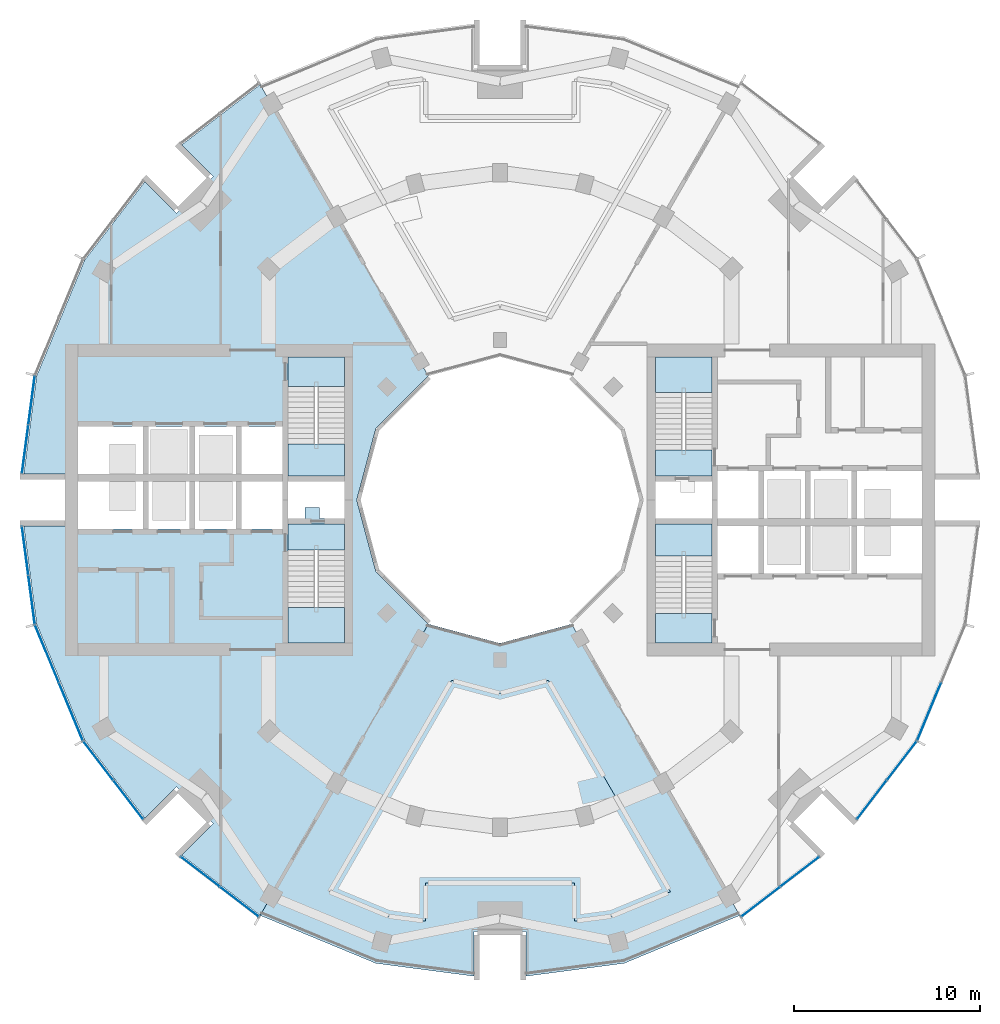
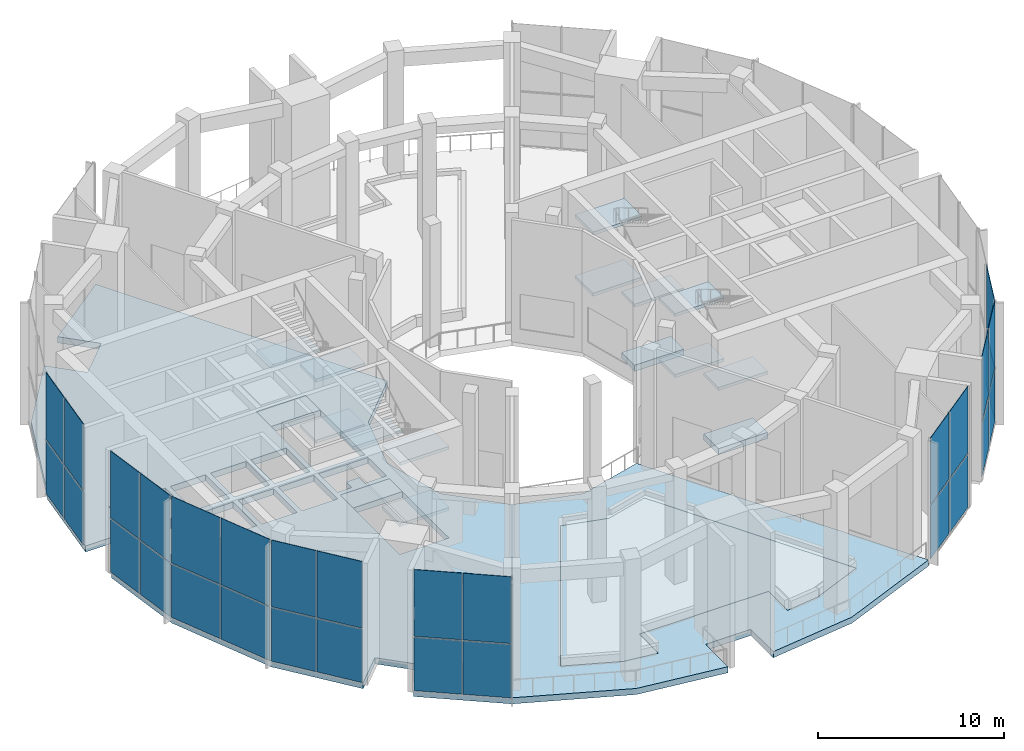
# One storey, part 9 of 18: 30 plates, 19 slabs, 12 elements without a shape of their own.
"""IFC4 building model written with IfcOpenShell, lengths in metres."""

from ifc_helpers import new_model, si_unit, direction, frame, origin, origin_2d, place, context, subcontext, project, spatial, polyline, rectangle, outline, extrude, material, layer, layer_set, type_object, element, aggregate, save


model = new_model("IFC4")

# Units and contexts
model_context = context("Model", 3, precision=1e-05, world=origin(), true_north=direction((0.0, 1.0)))
body_context = subcontext(model_context, "Body", "Model", "MODEL_VIEW")
ifc_project = project(units=[si_unit("LENGTHUNIT", "METRE"), si_unit("AREAUNIT", "SQUARE_METRE"), si_unit("VOLUMEUNIT", "CUBIC_METRE"), si_unit("PLANEANGLEUNIT", "RADIAN"), si_unit("MASSUNIT", "GRAM", prefix="KILO")], contexts=[model_context])

# Site, building, storey
site_placement = place(None, origin())
site = spatial("IfcSite", under=ifc_project, at=site_placement, CompositionType="ELEMENT")
building_placement = place(site_placement, origin())
building = spatial("IfcBuilding", under=site, at=building_placement, Name="Torre Brocal", CompositionType="ELEMENT")
storey_placement = place(building_placement, frame((0.0, 0.0, 149.699951171875)))
storey = spatial("IfcBuildingStorey", under=building, at=storey_placement, Name="L35", CompositionType="ELEMENT", Elevation=149.699951171875)

# Curtain wall, plates
ifc_material_1 = material(Name="Aluminium and glass", Category="aluminium")
ifc_layer_1 = layer(ifc_material_1, 0.199951171875)
ifc_layer_set_1 = layer_set([ifc_layer_1], Name="Aluminium and glass")
curtain_wall_type = type_object("IfcCurtainWallType", Name="CW-4 CURTAIN WALL 8000 HIGH", PredefinedType="NOTDEFINED", material=ifc_layer_set_1)
curtain_wall_1_placement = place(storey_placement, origin())
curtain_wall_1 = element("IfcCurtainWall", 1, at=curtain_wall_1_placement, inside=storey, type_object=curtain_wall_type, Name="CW-4 RUN 12", PredefinedType="NOTDEFINED")
ifc_material_2 = material(Name="Glass, dark tinted laminated", Category="glass")
ifc_layer_2 = layer(ifc_material_2, 0.030029296875)
ifc_layer_set_2 = layer_set([ifc_layer_2], Name="Glass, dark tinted laminated")
plate_type = type_object("IfcPlateType", Name="CW-4 GLASS PANEL 30", PredefinedType="CURTAIN_PANEL", material=ifc_layer_set_2)
plate_1_placement = place(storey_placement, frame((54.80712890625, 80.364990234375, 0.070068359375), z_axis=(0.0, 0.0, 1.0), x_axis=(-0.13052619222, -0.991444861374, 0.0)))
plate_1 = element("IfcPlate", 2, at=plate_1_placement, type_object=plate_type, Name="CW4-1 panel 1.1", PredefinedType="CURTAIN_PANEL", context=body_context, shape_type="SweptSolid", body=[
    extrude(rectangle(XDim=2.599365234375, YDim=0.030029296875, at=origin_2d()), origin(), (0.0, 0.0, 1.0), 3.4951171875),
])
plate_2_placement = place(storey_placement, frame((54.80712890625, 80.364990234375, 3.63525390625), z_axis=(0.0, 0.0, 1.0), x_axis=(-0.13052619222, -0.991444861374, 0.0)))
plate_2 = element("IfcPlate", 3, at=plate_2_placement, type_object=plate_type, Name="CW4-1 panel 1.2", PredefinedType="CURTAIN_PANEL", context=body_context, shape_type="SweptSolid", body=[
    extrude(rectangle(XDim=2.599365234375, YDim=0.030029296875, at=origin_2d()), origin(), (0.0, 0.0, 1.0), 4.364990234375),
])
plate_3_placement = place(storey_placement, frame((54.46142578125, 77.73828125, 0.070068359375), z_axis=(0.0, 0.0, 1.0), x_axis=(-0.13052619222, -0.991444861374, 0.0)))
plate_3 = element("IfcPlate", 4, at=plate_3_placement, type_object=plate_type, Name="CW4-1 panel 2.1", PredefinedType="CURTAIN_PANEL", context=body_context, shape_type="SweptSolid", body=[
    extrude(rectangle(XDim=2.599365234375, YDim=0.030029296875, at=origin_2d()), origin(), (0.0, 0.0, 1.0), 3.4951171875),
])
plate_4_placement = place(storey_placement, frame((54.46142578125, 77.73828125, 3.63525390625), z_axis=(0.0, 0.0, 1.0), x_axis=(-0.13052619222, -0.991444861374, 0.0)))
plate_4 = element("IfcPlate", 5, at=plate_4_placement, type_object=plate_type, Name="CW4-1 panel 2.2", PredefinedType="CURTAIN_PANEL", context=body_context, shape_type="SweptSolid", body=[
    extrude(rectangle(XDim=2.599365234375, YDim=0.030029296875, at=origin_2d()), origin(), (0.0, 0.0, 1.0), 4.364990234375),
])
aggregate(curtain_wall_1, [plate_1, plate_2, plate_3, plate_4])

curtain_wall_2_placement = place(storey_placement, origin())
curtain_wall_2 = element("IfcCurtainWall", 6, at=curtain_wall_2_placement, inside=storey, type_object=curtain_wall_type, Name="CW-4 RUN 13", PredefinedType="NOTDEFINED")
plate_5_placement = place(storey_placement, frame((54.46142578125, 72.26171875, 0.070068359375), z_axis=(0.0, 0.0, 1.0), x_axis=(0.13052619222, -0.991444861374, 0.0)))
plate_5 = element("IfcPlate", 7, at=plate_5_placement, type_object=plate_type, Name="CW4-1 panel 1.1", PredefinedType="CURTAIN_PANEL", context=body_context, shape_type="SweptSolid", body=[
    extrude(rectangle(XDim=2.599365234375, YDim=0.030029296875, at=origin_2d()), origin(), (0.0, 0.0, 1.0), 3.4951171875),
])
plate_6_placement = place(storey_placement, frame((54.46142578125, 72.26171875, 3.63525390625), z_axis=(0.0, 0.0, 1.0), x_axis=(0.13052619222, -0.991444861374, 0.0)))
plate_6 = element("IfcPlate", 8, at=plate_6_placement, type_object=plate_type, Name="CW4-1 panel 1.2", PredefinedType="CURTAIN_PANEL", context=body_context, shape_type="SweptSolid", body=[
    extrude(rectangle(XDim=2.599365234375, YDim=0.030029296875, at=origin_2d()), origin(), (0.0, 0.0, 1.0), 4.364990234375),
])
plate_7_placement = place(storey_placement, frame((54.80712890625, 69.635009765625, 0.070068359375), z_axis=(0.0, 0.0, 1.0), x_axis=(0.13052619222, -0.991444861374, 0.0)))
plate_7 = element("IfcPlate", 9, at=plate_7_placement, type_object=plate_type, Name="CW4-1 panel 2.1", PredefinedType="CURTAIN_PANEL", context=body_context, shape_type="SweptSolid", body=[
    extrude(rectangle(XDim=2.599365234375, YDim=0.030029296875, at=origin_2d()), origin(), (0.0, 0.0, 1.0), 3.4951171875),
])
plate_8_placement = place(storey_placement, frame((54.80712890625, 69.635009765625, 3.63525390625), z_axis=(0.0, 0.0, 1.0), x_axis=(0.13052619222, -0.991444861374, 0.0)))
plate_8 = element("IfcPlate", 10, at=plate_8_placement, type_object=plate_type, Name="CW4-1 panel 2.2", PredefinedType="CURTAIN_PANEL", context=body_context, shape_type="SweptSolid", body=[
    extrude(rectangle(XDim=2.599365234375, YDim=0.030029296875, at=origin_2d()), origin(), (0.0, 0.0, 1.0), 4.364990234375),
])
aggregate(curtain_wall_2, [plate_5, plate_6, plate_7, plate_8])

curtain_wall_3_placement = place(storey_placement, origin())
curtain_wall_3 = element("IfcCurtainWall", 11, at=curtain_wall_3_placement, inside=storey, type_object=curtain_wall_type, Name="CW-4 RUN 14", PredefinedType="NOTDEFINED")
plate_9_placement = place(storey_placement, frame((55.635009765625, 66.7236328125, 0.070068359375), z_axis=(0.0, 0.0, 1.0), x_axis=(0.382683432333, -0.923879532525, 0.0)))
plate_9 = element("IfcPlate", 12, at=plate_9_placement, type_object=plate_type, Name="CW4-1 panel 1.1", PredefinedType="CURTAIN_PANEL", context=body_context, shape_type="SweptSolid", body=[
    extrude(rectangle(XDim=3.305419921875, YDim=0.030029296875, at=origin_2d()), origin(), (0.0, 0.0, 1.0), 3.4951171875),
])
plate_10_placement = place(storey_placement, frame((55.635009765625, 66.7236328125, 3.63525390625), z_axis=(0.0, 0.0, 1.0), x_axis=(0.382683432333, -0.923879532525, 0.0)))
plate_10 = element("IfcPlate", 13, at=plate_10_placement, type_object=plate_type, Name="CW4-1 panel 1.2", PredefinedType="CURTAIN_PANEL", context=body_context, shape_type="SweptSolid", body=[
    extrude(rectangle(XDim=3.305419921875, YDim=0.030029296875, at=origin_2d()), origin(), (0.0, 0.0, 1.0), 4.364990234375),
])
plate_11_placement = place(storey_placement, frame((56.919189453125, 63.62353515625, 0.070068359375), z_axis=(0.0, 0.0, 1.0), x_axis=(0.382683432333, -0.923879532525, 0.0)))
plate_11 = element("IfcPlate", 14, at=plate_11_placement, type_object=plate_type, Name="CW4-1 panel 2.1", PredefinedType="CURTAIN_PANEL", context=body_context, shape_type="SweptSolid", body=[
    extrude(rectangle(XDim=3.305419921875, YDim=0.030029296875, at=origin_2d()), origin(), (0.0, 0.0, 1.0), 3.4951171875),
])
plate_12_placement = place(storey_placement, frame((56.919189453125, 63.62353515625, 3.63525390625), z_axis=(0.0, 0.0, 1.0), x_axis=(0.382683432333, -0.923879532525, 0.0)))
plate_12 = element("IfcPlate", 15, at=plate_12_placement, type_object=plate_type, Name="CW4-1 panel 2.2", PredefinedType="CURTAIN_PANEL", context=body_context, shape_type="SweptSolid", body=[
    extrude(rectangle(XDim=3.305419921875, YDim=0.030029296875, at=origin_2d()), origin(), (0.0, 0.0, 1.0), 4.364990234375),
])
aggregate(curtain_wall_3, [plate_9, plate_10, plate_11, plate_12])

curtain_wall_4_placement = place(storey_placement, origin())
curtain_wall_4 = element("IfcCurtainWall", 16, at=curtain_wall_4_placement, inside=storey, type_object=curtain_wall_type, Name="CW-4 RUN 15", PredefinedType="NOTDEFINED")
plate_13_placement = place(storey_placement, frame((58.392333984375, 60.9794921875, 0.070068359375), z_axis=(0.0, 0.0, 1.0), x_axis=(0.60876142905, -0.793353340259, 0.0)))
plate_13 = element("IfcPlate", 17, at=plate_13_placement, type_object=plate_type, Name="CW4-1 panel 1.1", PredefinedType="CURTAIN_PANEL", context=body_context, shape_type="SweptSolid", body=[
    extrude(rectangle(XDim=2.599365234375, YDim=0.030029296875, at=origin_2d()), origin(), (0.0, 0.0, 1.0), 3.4951171875),
])
plate_14_placement = place(storey_placement, frame((58.392333984375, 60.9794921875, 3.63525390625), z_axis=(0.0, 0.0, 1.0), x_axis=(0.60876142905, -0.793353340259, 0.0)))
plate_14 = element("IfcPlate", 18, at=plate_14_placement, type_object=plate_type, Name="CW4-1 panel 1.2", PredefinedType="CURTAIN_PANEL", context=body_context, shape_type="SweptSolid", body=[
    extrude(rectangle(XDim=2.599365234375, YDim=0.030029296875, at=origin_2d()), origin(), (0.0, 0.0, 1.0), 4.364990234375),
])
plate_15_placement = place(storey_placement, frame((60.00537109375, 58.877685546875, 0.070068359375), z_axis=(0.0, 0.0, 1.0), x_axis=(0.60876142905, -0.793353340259, 0.0)))
plate_15 = element("IfcPlate", 19, at=plate_15_placement, type_object=plate_type, Name="CW4-1 panel 2.1", PredefinedType="CURTAIN_PANEL", context=body_context, shape_type="SweptSolid", body=[
    extrude(rectangle(XDim=2.599365234375, YDim=0.030029296875, at=origin_2d()), origin(), (0.0, 0.0, 1.0), 3.4951171875),
])
plate_16_placement = place(storey_placement, frame((60.00537109375, 58.877685546875, 3.63525390625), z_axis=(0.0, 0.0, 1.0), x_axis=(0.60876142905, -0.793353340259, 0.0)))
plate_16 = element("IfcPlate", 20, at=plate_16_placement, type_object=plate_type, Name="CW4-1 panel 2.2", PredefinedType="CURTAIN_PANEL", context=body_context, shape_type="SweptSolid", body=[
    extrude(rectangle(XDim=2.599365234375, YDim=0.030029296875, at=origin_2d()), origin(), (0.0, 0.0, 1.0), 4.364990234375),
])
aggregate(curtain_wall_4, [plate_13, plate_14, plate_15, plate_16])

curtain_wall_5_placement = place(storey_placement, origin())
curtain_wall_5 = element("IfcCurtainWall", 21, at=curtain_wall_5_placement, inside=storey, type_object=curtain_wall_type, Name="CW-4 RUN 16", PredefinedType="NOTDEFINED")
plate_17_placement = place(storey_placement, frame((63.877685546875, 55.00537109375, 0.070068359375), z_axis=(0.0, 0.0, 1.0), x_axis=(0.793353340259, -0.60876142905, 0.0)))
plate_17 = element("IfcPlate", 22, at=plate_17_placement, type_object=plate_type, Name="CW4-1 panel 1.1", PredefinedType="CURTAIN_PANEL", context=body_context, shape_type="SweptSolid", body=[
    extrude(rectangle(XDim=2.599365234375, YDim=0.030029296875, at=origin_2d()), origin(), (0.0, 0.0, 1.0), 3.4951171875),
])
plate_18_placement = place(storey_placement, frame((63.877685546875, 55.00537109375, 3.63525390625), z_axis=(0.0, 0.0, 1.0), x_axis=(0.793353340259, -0.60876142905, 0.0)))
plate_18 = element("IfcPlate", 23, at=plate_18_placement, type_object=plate_type, Name="CW4-1 panel 1.2", PredefinedType="CURTAIN_PANEL", context=body_context, shape_type="SweptSolid", body=[
    extrude(rectangle(XDim=2.599365234375, YDim=0.030029296875, at=origin_2d()), origin(), (0.0, 0.0, 1.0), 4.364990234375),
])
plate_19_placement = place(storey_placement, frame((65.9794921875, 53.392333984375, 0.070068359375), z_axis=(0.0, 0.0, 1.0), x_axis=(0.793353340259, -0.60876142905, 0.0)))
plate_19 = element("IfcPlate", 24, at=plate_19_placement, type_object=plate_type, Name="CW4-1 panel 2.1", PredefinedType="CURTAIN_PANEL", context=body_context, shape_type="SweptSolid", body=[
    extrude(rectangle(XDim=2.599365234375, YDim=0.030029296875, at=origin_2d()), origin(), (0.0, 0.0, 1.0), 3.4951171875),
])
plate_20_placement = place(storey_placement, frame((65.9794921875, 53.392333984375, 3.63525390625), z_axis=(0.0, 0.0, 1.0), x_axis=(0.793353340259, -0.60876142905, 0.0)))
plate_20 = element("IfcPlate", 25, at=plate_20_placement, type_object=plate_type, Name="CW4-1 panel 2.2", PredefinedType="CURTAIN_PANEL", context=body_context, shape_type="SweptSolid", body=[
    extrude(rectangle(XDim=2.599365234375, YDim=0.030029296875, at=origin_2d()), origin(), (0.0, 0.0, 1.0), 4.364990234375),
])
aggregate(curtain_wall_5, [plate_17, plate_18, plate_19, plate_20])

curtain_wall_6_placement = place(storey_placement, origin())
curtain_wall_6 = element("IfcCurtainWall", 26, at=curtain_wall_6_placement, inside=storey, type_object=curtain_wall_type, Name="CW-4 RUN 21", PredefinedType="NOTDEFINED")
plate_21_placement = place(storey_placement, frame((94.0205078125, 53.392333984375, 0.070068359375), z_axis=(0.0, 0.0, 1.0), x_axis=(0.793353340259, 0.60876142905, 0.0)))
plate_21 = element("IfcPlate", 27, at=plate_21_placement, type_object=plate_type, Name="CW4-1 panel 1.1", PredefinedType="CURTAIN_PANEL", context=body_context, shape_type="SweptSolid", body=[
    extrude(rectangle(XDim=2.599365234375, YDim=0.030029296875, at=origin_2d()), origin(), (0.0, 0.0, 1.0), 3.4951171875),
])
plate_22_placement = place(storey_placement, frame((94.0205078125, 53.392333984375, 3.63525390625), z_axis=(0.0, 0.0, 1.0), x_axis=(0.793353340259, 0.60876142905, 0.0)))
plate_22 = element("IfcPlate", 28, at=plate_22_placement, type_object=plate_type, Name="CW4-1 panel 1.2", PredefinedType="CURTAIN_PANEL", context=body_context, shape_type="SweptSolid", body=[
    extrude(rectangle(XDim=2.599365234375, YDim=0.030029296875, at=origin_2d()), origin(), (0.0, 0.0, 1.0), 4.364990234375),
])
plate_23_placement = place(storey_placement, frame((96.122314453125, 55.00537109375, 0.070068359375), z_axis=(0.0, 0.0, 1.0), x_axis=(0.793353340259, 0.60876142905, 0.0)))
plate_23 = element("IfcPlate", 29, at=plate_23_placement, type_object=plate_type, Name="CW4-1 panel 2.1", PredefinedType="CURTAIN_PANEL", context=body_context, shape_type="SweptSolid", body=[
    extrude(rectangle(XDim=2.599365234375, YDim=0.030029296875, at=origin_2d()), origin(), (0.0, 0.0, 1.0), 3.4951171875),
])
plate_24_placement = place(storey_placement, frame((96.122314453125, 55.00537109375, 3.63525390625), z_axis=(0.0, 0.0, 1.0), x_axis=(0.793353340259, 0.60876142905, 0.0)))
plate_24 = element("IfcPlate", 30, at=plate_24_placement, type_object=plate_type, Name="CW4-1 panel 2.2", PredefinedType="CURTAIN_PANEL", context=body_context, shape_type="SweptSolid", body=[
    extrude(rectangle(XDim=2.599365234375, YDim=0.030029296875, at=origin_2d()), origin(), (0.0, 0.0, 1.0), 4.364990234375),
])
aggregate(curtain_wall_6, [plate_21, plate_22, plate_23, plate_24])

curtain_wall_7_placement = place(storey_placement, origin())
curtain_wall_7 = element("IfcCurtainWall", 31, at=curtain_wall_7_placement, inside=storey, type_object=curtain_wall_type, Name="CW-4 RUN 22", PredefinedType="NOTDEFINED")
plate_25_placement = place(storey_placement, frame((99.99462890625, 58.877685546875, 0.070068359375), z_axis=(0.0, 0.0, 1.0), x_axis=(0.60876142905, 0.793353340259, 0.0)))
plate_25 = element("IfcPlate", 32, at=plate_25_placement, type_object=plate_type, Name="CW4-1 panel 1.1", PredefinedType="CURTAIN_PANEL", context=body_context, shape_type="SweptSolid", body=[
    extrude(rectangle(XDim=2.599365234375, YDim=0.030029296875, at=origin_2d()), origin(), (0.0, 0.0, 1.0), 3.4951171875),
])
plate_26_placement = place(storey_placement, frame((99.99462890625, 58.877685546875, 3.63525390625), z_axis=(0.0, 0.0, 1.0), x_axis=(0.60876142905, 0.793353340259, 0.0)))
plate_26 = element("IfcPlate", 33, at=plate_26_placement, type_object=plate_type, Name="CW4-1 panel 1.2", PredefinedType="CURTAIN_PANEL", context=body_context, shape_type="SweptSolid", body=[
    extrude(rectangle(XDim=2.599365234375, YDim=0.030029296875, at=origin_2d()), origin(), (0.0, 0.0, 1.0), 4.364990234375),
])
plate_27_placement = place(storey_placement, frame((101.607666015625, 60.9794921875, 0.070068359375), z_axis=(0.0, 0.0, 1.0), x_axis=(0.60876142905, 0.793353340259, 0.0)))
plate_27 = element("IfcPlate", 34, at=plate_27_placement, type_object=plate_type, Name="CW4-1 panel 2.1", PredefinedType="CURTAIN_PANEL", context=body_context, shape_type="SweptSolid", body=[
    extrude(rectangle(XDim=2.599365234375, YDim=0.030029296875, at=origin_2d()), origin(), (0.0, 0.0, 1.0), 3.4951171875),
])
plate_28_placement = place(storey_placement, frame((101.607666015625, 60.9794921875, 3.63525390625), z_axis=(0.0, 0.0, 1.0), x_axis=(0.60876142905, 0.793353340259, 0.0)))
plate_28 = element("IfcPlate", 35, at=plate_28_placement, type_object=plate_type, Name="CW4-1 panel 2.2", PredefinedType="CURTAIN_PANEL", context=body_context, shape_type="SweptSolid", body=[
    extrude(rectangle(XDim=2.599365234375, YDim=0.030029296875, at=origin_2d()), origin(), (0.0, 0.0, 1.0), 4.364990234375),
])
aggregate(curtain_wall_7, [plate_25, plate_26, plate_27, plate_28])

curtain_wall_8_placement = place(storey_placement, origin())
curtain_wall_8 = element("IfcCurtainWall", 36, at=curtain_wall_8_placement, inside=storey, type_object=curtain_wall_type, Name="CW-4 RUN 23", PredefinedType="NOTDEFINED")
plate_29_placement = place(storey_placement, frame((103.080810546875, 63.62353515625, 0.070068359375), z_axis=(0.0, 0.0, 1.0), x_axis=(0.382683432333, 0.923879532525, 0.0)))
plate_29 = element("IfcPlate", 37, at=plate_29_placement, type_object=plate_type, Name="CW4-1 panel 1.1", PredefinedType="CURTAIN_PANEL", context=body_context, shape_type="SweptSolid", body=[
    extrude(rectangle(XDim=3.305419921875, YDim=0.030029296875, at=origin_2d()), origin(), (0.0, 0.0, 1.0), 3.4951171875),
])
plate_30_placement = place(storey_placement, frame((103.080810546875, 63.62353515625, 3.63525390625), z_axis=(0.0, 0.0, 1.0), x_axis=(0.382683432333, 0.923879532525, 0.0)))
plate_30 = element("IfcPlate", 38, at=plate_30_placement, type_object=plate_type, Name="CW4-1 panel 1.2", PredefinedType="CURTAIN_PANEL", context=body_context, shape_type="SweptSolid", body=[
    extrude(rectangle(XDim=3.305419921875, YDim=0.030029296875, at=origin_2d()), origin(), (0.0, 0.0, 1.0), 4.364990234375),
])
aggregate(curtain_wall_8, [plate_29, plate_30])

# Stair, slab
ifc_material_3 = material(Name="Concrete C50", Category="concrete")
stair_type = type_object("IfcStairType", Name="EXIT STAIR", PredefinedType="HALF_TURN_STAIR", material=ifc_material_3)
stair_1_placement = place(storey_placement, origin())
stair_1 = element("IfcStair", 39, at=stair_1_placement, inside=storey, type_object=stair_type, Name="EXIT STAIR ST1", PredefinedType="HALF_TURN_STAIR")
ifc_material_4 = material(Name="Concrete C50", Category="concrete")
ifc_layer_3 = layer(ifc_material_4, 0.39990234375)
ifc_layer_set_3 = layer_set([ifc_layer_3], Name="Concrete C50")
slab_type_1 = type_object("IfcSlabType", Name="FLOOR LANDING 400", PredefinedType="LANDING", material=ifc_layer_set_3)
slab_1_placement = place(storey_placement, frame((0.0, 0.0, -0.39990234375)))
slab_1 = element("IfcSlab", 40, at=slab_1_placement, type_object=slab_type_1, Name="ST1 landing 1", PredefinedType="LANDING", context=body_context, shape_type="SweptSolid", body=[
    extrude(outline(polyline([(88.35009765625, 76.300048828125), (91.39990234375, 76.300048828125), (91.39990234375, 77.699951171875), (88.35009765625, 77.699951171875), (88.35009765625, 76.300048828125)])), origin(), (0.0, 0.0, 1.0), 0.39990234375),
])

stair_2_placement = place(storey_placement, origin())
stair_2 = element("IfcStair", 41, at=stair_2_placement, inside=storey, type_object=stair_type, Name="EXIT STAIR ST2", PredefinedType="HALF_TURN_STAIR")
slab_2_placement = place(storey_placement, frame((0.0, 0.0, -0.39990234375)))
slab_2 = element("IfcSlab", 42, at=slab_2_placement, type_object=slab_type_1, Name="ST2 landing 1", PredefinedType="LANDING", context=body_context, shape_type="SweptSolid", body=[
    extrude(outline(polyline([(88.35009765625, 67.300048828125), (91.39990234375, 67.300048828125), (91.39990234375, 68.89990234375), (88.35009765625, 68.89990234375), (88.35009765625, 67.300048828125)])), origin(), (0.0, 0.0, 1.0), 0.39990234375),
])

stair_3_placement = place(storey_placement, origin())
stair_3 = element("IfcStair", 43, at=stair_3_placement, inside=storey, type_object=stair_type, Name="EXIT STAIR ST3", PredefinedType="HALF_TURN_STAIR")
slab_3_placement = place(storey_placement, frame((0.0, 0.0, -0.39990234375)))
slab_3 = element("IfcSlab", 44, at=slab_3_placement, type_object=slab_type_1, Name="ST3 landing 1", PredefinedType="LANDING", context=body_context, shape_type="SweptSolid", body=[
    extrude(outline(polyline([(71.64990234375, 73.699951171875), (68.60009765625, 73.699951171875), (68.60009765625, 72.300048828125), (71.64990234375, 72.300048828125), (71.64990234375, 73.699951171875)])), origin(), (0.0, 0.0, 1.0), 0.39990234375),
])

stair_4_placement = place(storey_placement, origin())
stair_4 = element("IfcStair", 45, at=stair_4_placement, inside=storey, type_object=stair_type, Name="EXIT STAIR ST4", PredefinedType="HALF_TURN_STAIR")
slab_4_placement = place(storey_placement, frame((0.0, 0.0, -0.39990234375)))
slab_4 = element("IfcSlab", 46, at=slab_4_placement, type_object=slab_type_1, Name="ST4 landing 1", PredefinedType="LANDING", context=body_context, shape_type="SweptSolid", body=[
    extrude(outline(polyline([(71.64990234375, 82.699951171875), (68.60009765625, 82.699951171875), (68.60009765625, 81.10009765625), (71.64990234375, 81.10009765625), (71.64990234375, 82.699951171875)])), origin(), (0.0, 0.0, 1.0), 0.39990234375),
])

# Slab
ifc_material_5 = material(Name="Concrete C45", Category="concrete")
ifc_layer_4 = layer(ifc_material_5, 0.39990234375)
ifc_layer_set_4 = layer_set([ifc_layer_4], Name="Concrete C45")
slab_type_2 = type_object("IfcSlabType", Name="GREEN ROOF PLANTING BED SLAB 400 C45", PredefinedType="ROOF", material=ifc_layer_set_4)
slab_5_placement = place(storey_placement, frame((0.0, 0.0, -0.39990234375)))
element("IfcSlab", 47, at=slab_5_placement, inside=storey, type_object=slab_type_2, Name="Slab ST-10", PredefinedType="ROOF", context=body_context, shape_type="SweptSolid", body=[
    extrude(outline(polyline([(74.001708984375, 52.61376953125), (70.8349609375, 53.925537109375), (77.400634765625, 65.2978515625), (80.0, 64.601318359375), (82.599365234375, 65.2978515625), (89.1650390625, 53.925537109375), (85.998291015625, 52.61376953125), (84.0, 52.350830078125), (84.0, 54.39990234375), (76.0, 54.39990234375), (76.0, 52.350830078125), (74.001708984375, 52.61376953125)])), origin(), (0.0, 0.0, 1.0), 0.39990234375),
])

ifc_material_6 = material(Name="Concrete C50", Category="concrete")
ifc_layer_5 = layer(ifc_material_6, 0.199951171875)
ifc_layer_set_5 = layer_set([ifc_layer_5], Name="Concrete C50")
slab_type_3 = type_object("IfcSlabType", Name="MID LANDING +2000", PredefinedType="LANDING", material=ifc_layer_set_5)
slab_6_placement = place(storey_placement, frame((0.0, 0.0, 1.800048828125)))
slab_6 = element("IfcSlab", 48, at=slab_6_placement, type_object=slab_type_3, Name="ST1 landing 2", PredefinedType="LANDING", context=body_context, shape_type="SweptSolid", body=[
    extrude(outline(polyline([(88.35009765625, 80.780029296875), (91.39990234375, 80.780029296875), (91.39990234375, 82.699951171875), (88.35009765625, 82.699951171875), (88.35009765625, 80.780029296875)])), origin(), (0.0, 0.0, 1.0), 0.199951171875),
])

slab_7_placement = place(storey_placement, frame((0.0, 0.0, 1.800048828125)))
slab_7 = element("IfcSlab", 49, at=slab_7_placement, type_object=slab_type_3, Name="ST2 landing 2", PredefinedType="LANDING", context=body_context, shape_type="SweptSolid", body=[
    extrude(outline(polyline([(88.35009765625, 71.97998046875), (91.39990234375, 71.97998046875), (91.39990234375, 73.699951171875), (88.35009765625, 73.699951171875), (88.35009765625, 71.97998046875)])), origin(), (0.0, 0.0, 1.0), 0.199951171875),
])

slab_8_placement = place(storey_placement, frame((0.0, 0.0, 1.800048828125)))
slab_8 = element("IfcSlab", 50, at=slab_8_placement, type_object=slab_type_3, Name="ST3 landing 2", PredefinedType="LANDING", context=body_context, shape_type="SweptSolid", body=[
    extrude(outline(polyline([(71.64990234375, 69.219970703125), (68.60009765625, 69.219970703125), (68.60009765625, 67.300048828125), (71.64990234375, 67.300048828125), (71.64990234375, 69.219970703125)])), origin(), (0.0, 0.0, 1.0), 0.199951171875),
])

slab_9_placement = place(storey_placement, frame((0.0, 0.0, 1.800048828125)))
slab_9 = element("IfcSlab", 51, at=slab_9_placement, type_object=slab_type_3, Name="ST4 landing 2", PredefinedType="LANDING", context=body_context, shape_type="SweptSolid", body=[
    extrude(outline(polyline([(71.64990234375, 78.02001953125), (68.60009765625, 78.02001953125), (68.60009765625, 76.300048828125), (71.64990234375, 76.300048828125), (71.64990234375, 78.02001953125)])), origin(), (0.0, 0.0, 1.0), 0.199951171875),
])

ifc_material_7 = material(Name="Concrete C50", Category="concrete")
ifc_layer_6 = layer(ifc_material_7, 0.199951171875)
ifc_layer_set_6 = layer_set([ifc_layer_6], Name="Concrete C50")
slab_type_4 = type_object("IfcSlabType", Name="MID LANDING +4000", PredefinedType="LANDING", material=ifc_layer_set_6)
slab_10_placement = place(storey_placement, frame((0.0, 0.0, 3.800048828125)))
slab_10 = element("IfcSlab", 52, at=slab_10_placement, type_object=slab_type_4, Name="ST1 landing 3", PredefinedType="LANDING", context=body_context, shape_type="SweptSolid", body=[
    extrude(outline(polyline([(88.35009765625, 76.300048828125), (91.39990234375, 76.300048828125), (91.39990234375, 77.699951171875), (88.35009765625, 77.699951171875), (88.35009765625, 76.300048828125)])), origin(), (0.0, 0.0, 1.0), 0.199951171875),
])

slab_11_placement = place(storey_placement, frame((0.0, 0.0, 3.800048828125)))
slab_11 = element("IfcSlab", 53, at=slab_11_placement, type_object=slab_type_4, Name="ST2 landing 3", PredefinedType="LANDING", context=body_context, shape_type="SweptSolid", body=[
    extrude(outline(polyline([(88.35009765625, 67.300048828125), (91.39990234375, 67.300048828125), (91.39990234375, 68.89990234375), (88.35009765625, 68.89990234375), (88.35009765625, 67.300048828125)])), origin(), (0.0, 0.0, 1.0), 0.199951171875),
])

slab_12_placement = place(storey_placement, frame((0.0, 0.0, 3.800048828125)))
slab_12 = element("IfcSlab", 54, at=slab_12_placement, type_object=slab_type_4, Name="ST3 landing 3", PredefinedType="LANDING", context=body_context, shape_type="SweptSolid", body=[
    extrude(outline(polyline([(71.64990234375, 73.699951171875), (68.60009765625, 73.699951171875), (68.60009765625, 72.300048828125), (71.64990234375, 72.300048828125), (71.64990234375, 73.699951171875)])), origin(), (0.0, 0.0, 1.0), 0.199951171875),
])

slab_13_placement = place(storey_placement, frame((0.0, 0.0, 3.800048828125)))
slab_13 = element("IfcSlab", 55, at=slab_13_placement, type_object=slab_type_4, Name="ST4 landing 3", PredefinedType="LANDING", context=body_context, shape_type="SweptSolid", body=[
    extrude(outline(polyline([(71.64990234375, 82.699951171875), (68.60009765625, 82.699951171875), (68.60009765625, 81.10009765625), (71.64990234375, 81.10009765625), (71.64990234375, 82.699951171875)])), origin(), (0.0, 0.0, 1.0), 0.199951171875),
])

ifc_material_8 = material(Name="Concrete C50", Category="concrete")
ifc_layer_7 = layer(ifc_material_8, 0.199951171875)
ifc_layer_set_7 = layer_set([ifc_layer_7], Name="Concrete C50")
slab_type_5 = type_object("IfcSlabType", Name="MID LANDING +6000", PredefinedType="LANDING", material=ifc_layer_set_7)
slab_14_placement = place(storey_placement, frame((0.0, 0.0, 5.800048828125)))
slab_14 = element("IfcSlab", 56, at=slab_14_placement, type_object=slab_type_5, Name="ST1 landing 4", PredefinedType="LANDING", context=body_context, shape_type="SweptSolid", body=[
    extrude(outline(polyline([(88.35009765625, 80.780029296875), (91.39990234375, 80.780029296875), (91.39990234375, 82.699951171875), (88.35009765625, 82.699951171875), (88.35009765625, 80.780029296875)])), origin(), (0.0, 0.0, 1.0), 0.199951171875),
])

aggregate(stair_1, [slab_1, slab_6, slab_10, slab_14])

slab_15_placement = place(storey_placement, frame((0.0, 0.0, 5.800048828125)))
slab_15 = element("IfcSlab", 57, at=slab_15_placement, type_object=slab_type_5, Name="ST2 landing 4", PredefinedType="LANDING", context=body_context, shape_type="SweptSolid", body=[
    extrude(outline(polyline([(88.35009765625, 71.97998046875), (91.39990234375, 71.97998046875), (91.39990234375, 73.699951171875), (88.35009765625, 73.699951171875), (88.35009765625, 71.97998046875)])), origin(), (0.0, 0.0, 1.0), 0.199951171875),
])

aggregate(stair_2, [slab_2, slab_7, slab_11, slab_15])

slab_16_placement = place(storey_placement, frame((0.0, 0.0, 5.800048828125)))
slab_16 = element("IfcSlab", 58, at=slab_16_placement, type_object=slab_type_5, Name="ST3 landing 4", PredefinedType="LANDING", context=body_context, shape_type="SweptSolid", body=[
    extrude(outline(polyline([(71.64990234375, 69.219970703125), (68.60009765625, 69.219970703125), (68.60009765625, 67.300048828125), (71.64990234375, 67.300048828125), (71.64990234375, 69.219970703125)])), origin(), (0.0, 0.0, 1.0), 0.199951171875),
])

aggregate(stair_3, [slab_3, slab_8, slab_12, slab_16])

slab_17_placement = place(storey_placement, frame((0.0, 0.0, 5.800048828125)))
slab_17 = element("IfcSlab", 59, at=slab_17_placement, type_object=slab_type_5, Name="ST4 landing 4", PredefinedType="LANDING", context=body_context, shape_type="SweptSolid", body=[
    extrude(outline(polyline([(71.64990234375, 78.02001953125), (68.60009765625, 78.02001953125), (68.60009765625, 76.300048828125), (71.64990234375, 76.300048828125), (71.64990234375, 78.02001953125)])), origin(), (0.0, 0.0, 1.0), 0.199951171875),
])

aggregate(stair_4, [slab_4, slab_9, slab_13, slab_17])

# Slabs
ifc_material_9 = material(Name="Concrete C45", Category="concrete")
ifc_layer_8 = layer(ifc_material_9, 0.39990234375)
ifc_layer_set_8 = layer_set([ifc_layer_8], Name="Concrete C45")
slab_type_6 = type_object("IfcSlabType", Name="PT FLOOR SLAB 400 C45", PredefinedType="FLOOR", material=ifc_layer_set_8)
slab_18_placement = place(storey_placement, frame((0.0, 0.0, -0.39990234375)))
element("IfcSlab", 60, at=slab_18_placement, inside=storey, type_object=slab_type_6, Name="Slab ST-08", PredefinedType="FLOOR", context=body_context, shape_type="SweptSolid", body=[
    extrude(outline(polyline([(60.898193359375, 57.878173828125), (57.657958984375, 62.100830078125), (55.080810546875, 68.322998046875), (54.385986328125, 73.60009765625), (56.800048828125, 73.60009765625), (56.800048828125, 76.39990234375), (54.385986328125, 76.39990234375), (55.080810546875, 81.677001953125), (57.657958984375, 87.899169921875), (60.898193359375, 92.121826171875), (62.605224609375, 90.4150390625), (64.5849609375, 92.394775390625), (62.878173828125, 94.101806640625), (67.100830078125, 97.342041015625), (76.146484375, 81.674560546875), (73.325439453125, 78.853515625), (72.29296875, 75.0), (73.325439453125, 71.146484375), (76.146484375, 68.325439453125), (67.100830078125, 52.657958984375), (62.878173828125, 55.898193359375), (64.5849609375, 57.605224609375), (62.605224609375, 59.5849609375), (60.898193359375, 57.878173828125)]), holes=[polyline([(68.60009765625, 67.300048828125), (71.64990234375, 67.300048828125), (71.64990234375, 73.699951171875), (68.60009765625, 73.699951171875), (68.60009765625, 67.300048828125)]), polyline([(70.300048828125, 74.0), (71.64990234375, 74.0), (71.64990234375, 76.0), (68.60009765625, 76.0), (68.60009765625, 74.0), (69.5, 74.0), (69.5, 74.60009765625), (70.300048828125, 74.60009765625), (70.300048828125, 74.0)]), polyline([(68.60009765625, 82.699951171875), (68.60009765625, 76.300048828125), (71.64990234375, 76.300048828125), (71.64990234375, 82.699951171875), (68.60009765625, 82.699951171875)]), polyline([(66.10009765625, 76.0), (66.10009765625, 73.449951171875), (68.300048828125, 73.449951171875), (68.300048828125, 76.0), (66.10009765625, 76.0)]), polyline([(66.10009765625, 78.949951171875), (66.10009765625, 76.39990234375), (68.300048828125, 76.39990234375), (68.300048828125, 78.949951171875), (66.10009765625, 78.949951171875)]), polyline([(63.60009765625, 76.39990234375), (65.800048828125, 76.39990234375), (65.800048828125, 78.949951171875), (63.60009765625, 78.949951171875), (63.60009765625, 76.39990234375)]), polyline([(63.60009765625, 76.0), (63.60009765625, 73.449951171875), (65.800048828125, 73.449951171875), (65.800048828125, 76.0), (63.60009765625, 76.0)]), polyline([(61.10009765625, 73.449951171875), (63.300048828125, 73.449951171875), (63.300048828125, 76.0), (61.10009765625, 76.0), (61.10009765625, 73.449951171875)]), polyline([(61.10009765625, 78.949951171875), (61.10009765625, 76.39990234375), (63.300048828125, 76.39990234375), (63.300048828125, 78.949951171875), (61.10009765625, 78.949951171875)]), polyline([(57.300048828125, 73.449951171875), (60.800048828125, 73.449951171875), (60.800048828125, 76.0), (57.300048828125, 76.0), (57.300048828125, 73.449951171875)]), polyline([(57.300048828125, 78.949951171875), (57.300048828125, 76.39990234375), (60.800048828125, 76.39990234375), (60.800048828125, 78.949951171875), (57.300048828125, 78.949951171875)])]), origin(), (0.0, 0.0, 1.0), 0.39990234375),
])
ifc_material_10 = material(Name="Concrete C45", Category="concrete")
ifc_layer_9 = layer(ifc_material_10, 0.39990234375)
ifc_layer_set_9 = layer_set([ifc_layer_9], Name="Concrete C45")
slab_type_7 = type_object("IfcSlabType", Name="PT GARDEN SLAB 400 C45", PredefinedType="ROOF", material=ifc_layer_set_9)
slab_19_placement = place(storey_placement, frame((0.0, 0.0, -0.39990234375)))
element("IfcSlab", 61, at=slab_19_placement, inside=storey, type_object=slab_type_7, Name="Slab ST-09", PredefinedType="ROOF", context=body_context, shape_type="SweptSolid", body=[
    extrude(outline(polyline([(78.60009765625, 51.800048828125), (78.60009765625, 49.385986328125), (73.322998046875, 50.080810546875), (67.100830078125, 52.657958984375), (76.146484375, 68.325439453125), (80.0, 67.29296875), (83.853515625, 68.325439453125), (92.899169921875, 52.657958984375), (86.677001953125, 50.080810546875), (81.39990234375, 49.385986328125), (81.39990234375, 51.800048828125), (78.60009765625, 51.800048828125)]), holes=[polyline([(84.0, 54.39990234375), (84.0, 52.350830078125), (85.998291015625, 52.61376953125), (89.1650390625, 53.925537109375), (82.599365234375, 65.2978515625), (80.0, 64.601318359375), (77.400634765625, 65.2978515625), (70.8349609375, 53.925537109375), (74.001708984375, 52.61376953125), (76.0, 52.350830078125), (76.0, 54.39990234375), (84.0, 54.39990234375)])]), origin(), (0.0, 0.0, 1.0), 0.39990234375),
])

save(model, "model.ifc")
